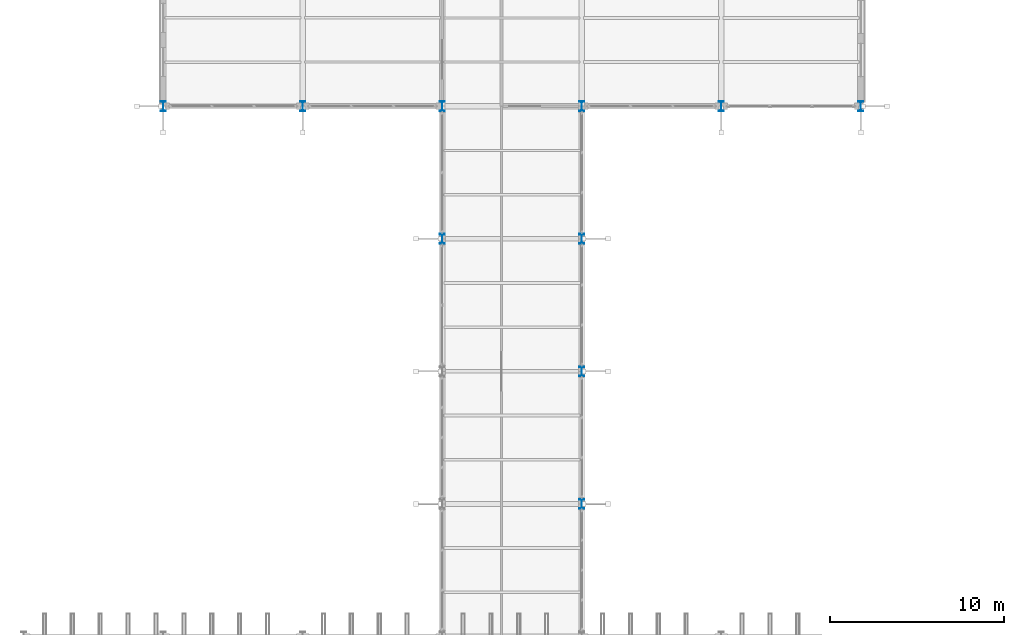
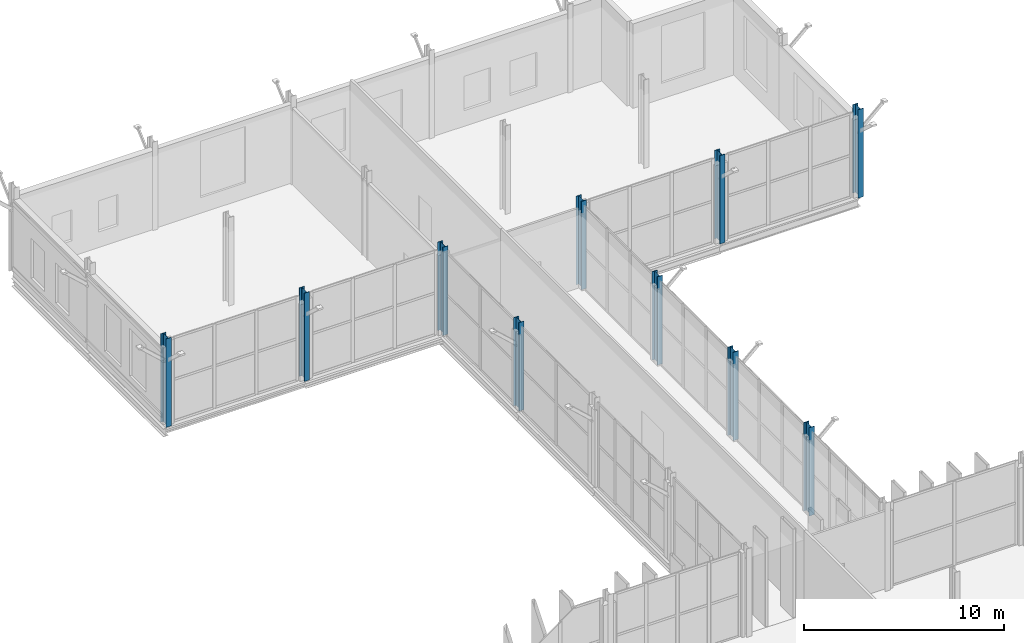
# One storey, part 14 of 147: 10 columns.
"""IFC4 building model written with IfcOpenShell, lengths in metres."""

from ifc_helpers import new_model, si_unit, direction, frame, origin, origin_2d, place, context, subcontext, project, spatial, i_section, extrude, material, material_profile, profile_set, type_object, element, save


model = new_model("IFC4")

# Units and contexts
model_context = context("Model", 3, precision=1e-05, world=origin(), true_north=direction((0.0, 1.0)))
body_context = subcontext(model_context, "Body", "Model", "MODEL_VIEW")
ifc_project = project(units=[si_unit("LENGTHUNIT", "METRE"), si_unit("AREAUNIT", "SQUARE_METRE"), si_unit("VOLUMEUNIT", "CUBIC_METRE"), si_unit("PLANEANGLEUNIT", "RADIAN"), si_unit("MASSUNIT", "GRAM", prefix="KILO")], contexts=[model_context])

# Site, building, storey
site_placement = place(None, origin())
site = spatial("IfcSite", under=ifc_project, at=site_placement, CompositionType="ELEMENT")
building_placement = place(site_placement, origin())
building = spatial("IfcBuilding", under=site, at=building_placement, Name="Vekula Escarpment Museum", CompositionType="ELEMENT")
storey_placement = place(building_placement, frame((0.0, 0.0, 7.800048828125)))
storey = spatial("IfcBuildingStorey", under=building, at=storey_placement, Name="L02", CompositionType="ELEMENT", Elevation=7.800048828125)

# Columns
ifc_material = material(Name="Steel S355", Category="steel")
ifc_material_profile = material_profile(ifc_material, i_section(OverallWidth=0.300048828125, OverallDepth=0.550048828125, WebThickness=0.014892578125, FlangeThickness=0.029052734375, FilletRadius=0.027099609375, at=origin_2d()), Name="HEB 550")
ifc_profile_set = profile_set([ifc_material_profile], Name="Steel S355")
column_type = type_object("IfcColumnType", Name="COL-S-HEB550", PredefinedType="COLUMN", material=ifc_profile_set)
for number, where, z_axis, x_axis, name in (
    (1, (78.0, 120.800048828125, 0.0), (0.0, 0.0, 1.0), (1.0, 0.0, 0.0), "Column L02 (78.0,120.8)"),
    (2, (86.0, 120.800048828125, 0.0), (0.0, 0.0, 1.0), (1.0, 0.0, 0.0), "Column L02 (86.0,120.8)"),
    (3, (94.0, 113.199951171875, 0.0), (0.0, 0.0, 1.0), (1.0, 0.0, 0.0), "Column L02 (94.0,113.2)"),
    (4, (94.0, 120.800048828125, 0.0), (0.0, 0.0, 1.0), (1.0, 0.0, 0.0), "Column L02 (94.0,120.8)"),
    (5, (102.0, 98.0, 0.0), (0.0, 0.0, 1.0), (1.0, 0.0, 0.0), "Column L02 (102.0,98.0)"),
    (6, (102.0, 105.60009765625, 0.0), (0.0, 0.0, 1.0), (1.0, 0.0, 0.0), "Column L02 (102.0,105.6)"),
    (7, (102.0, 113.199951171875, 0.0), (0.0, 0.0, 1.0), (1.0, 0.0, 0.0), "Column L02 (102.0,113.2)"),
    (8, (102.0, 120.800048828125, 0.0), (0.0, 0.0, 1.0), (1.0, 0.0, 0.0), "Column L02 (102.0,120.8)"),
    (9, (110.0, 120.800048828125, 0.0), (0.0, 0.0, 1.0), (1.0, 0.0, 0.0), "Column L02 (110.0,120.8)"),
    (10, (118.0, 120.800048828125, 0.0), (0.0, 0.0, 1.0), (1.0, 0.0, 0.0), "Column L02 (118.0,120.8)"),
):
    element("IfcColumn", number, at=place(storey_placement, frame(where, z_axis=z_axis, x_axis=x_axis)), inside=storey, type_object=column_type, Name=name, PredefinedType="COLUMN", context=body_context, shape_type="SweptSolid", body=[
        extrude(i_section(OverallWidth=0.300048828125, OverallDepth=0.550048828125, WebThickness=0.014892578125, FlangeThickness=0.029052734375, FilletRadius=0.027099609375, at=origin_2d()), origin(), (0.0, 0.0, 1.0), 5.39990234375),
    ])

save(model, "model.ifc")
